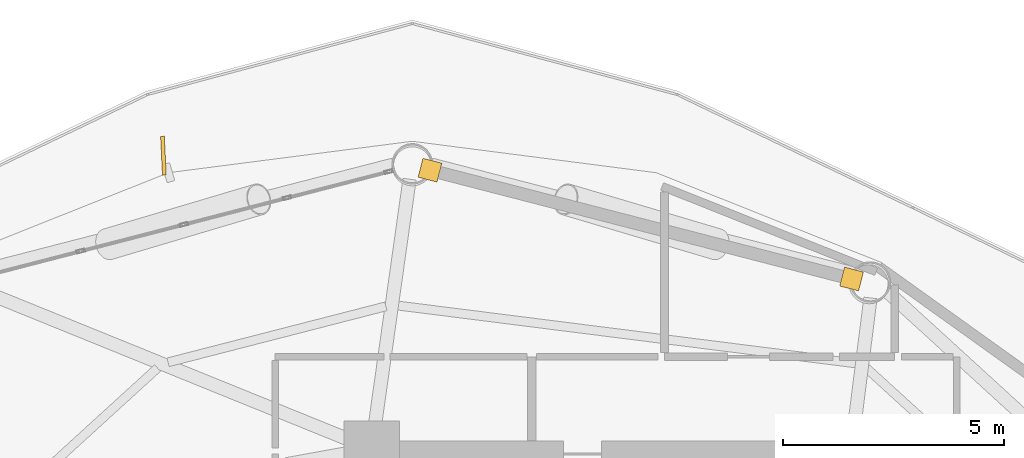
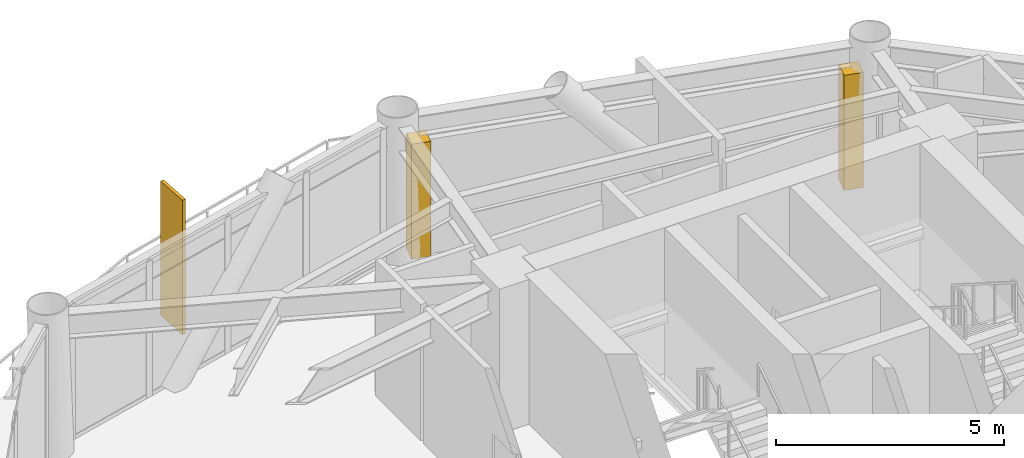
# One storey, part 24 of 24: 2 coverings, 1 shading device.
"""IFC4 building model written with IfcOpenShell, lengths in metres."""

from ifc_helpers import new_model, si_unit, direction, frame, origin, origin_2d, place, context, subcontext, project, spatial, rectangle, extrude, source, transform, mapped, material, layer, layer_set, type_object, type_shapes, element, save


model = new_model("IFC4")

# Units and contexts
model_context = context("Model", 3, precision=1e-05, world=origin(), true_north=direction((0.0, 1.0)))
body_context = subcontext(model_context, "Body", "Model", "MODEL_VIEW")
ifc_project = project(units=[si_unit("LENGTHUNIT", "METRE"), si_unit("AREAUNIT", "SQUARE_METRE"), si_unit("VOLUMEUNIT", "CUBIC_METRE"), si_unit("PLANEANGLEUNIT", "RADIAN"), si_unit("MASSUNIT", "GRAM", prefix="KILO")], contexts=[model_context])

# Site, building, storey
site_placement = place(None, origin())
site = spatial("IfcSite", under=ifc_project, at=site_placement, CompositionType="ELEMENT")
building_placement = place(site_placement, origin())
building = spatial("IfcBuilding", under=site, at=building_placement, Name="Varnakorn Sky Granary", CompositionType="ELEMENT")
storey_placement = place(building_placement, frame((0.0, 0.0, 43.199951171875)))
storey = spatial("IfcBuildingStorey", under=building, at=storey_placement, Name="L10", CompositionType="ELEMENT", Elevation=43.199951171875)

# Shading device
ifc_material = material(Name="Anodised Bronze Aluminium Alloy 6063-T6", Category="aluminium")
shading_device_type = type_object("IfcShadingDeviceType", Name="SH-FIN-01", PredefinedType="USERDEFINED", material=ifc_material)
shared_shape_1 = source(origin(), body_context, "Body", "SweptSolid", [
    extrude(rectangle(XDim=0.0849609375, YDim=0.8798828125, at=origin_2d()), origin(), (0.0, 0.0, 1.0), 3.60009765625),
])
type_shapes(shading_device_type, [shared_shape_1])
shading_device_placement = place(storey_placement, frame((-7.124267578125, 19.241943359375, -0.0400390625), z_axis=(0.0, 0.0, 1.0), x_axis=(-0.998795842558, -0.049059809304, 0.0)))
element("IfcShadingDevice", 1, at=shading_device_placement, inside=storey, type_object=shading_device_type, Name="Bronze Solar-Tracking Vertical Blade FIN L10-04", ObjectType="FIN", PredefinedType="USERDEFINED", context=body_context, shape_type="MappedRepresentation", body=[
    mapped(shared_shape_1, transform((0.0, 0.0, 0.0), x_axis=(1.0, 0.0, 0.0), y_axis=(0.0, 1.0, 0.0), z_axis=(0.0, 0.0, 1.0), scale=1.0)),
])

# Coverings
ifc_layer = layer(ifc_material, 0.050048828125, Name="Anodised Bronze Aluminium Alloy 6063-T6")
ifc_layer_set = layer_set([ifc_layer], Name="Anodised Bronze Aluminium Alloy 6063-T6")
covering_type = type_object("IfcCoveringType", Name="CV-CLAD-50", PredefinedType="CLADDING", material=ifc_layer_set)
shared_shape_2 = source(origin(), body_context, "Body", "SweptSolid", [
    extrude(rectangle(XDim=0.43994140625, YDim=0.43994140625, at=origin_2d()), origin(), (0.0, 0.0, 1.0), 3.080078125),
])
type_shapes(covering_type, [shared_shape_2])
for number, where, z_axis, x_axis, name in (
    (2, (-1.10107421875, 18.916015625, -0.02001953125), (0.0, 0.0, 1.0), (0.968278606324, -0.249873048837, 0.0), "Bronze Corner Pilaster Closure L10-P03-A"),
    (3, (8.424560546875, 16.45703125, -0.02001953125), (0.0, 0.0, 1.0), (0.968278606324, -0.249873048837, 0.0), "Bronze Corner Pilaster Closure L10-P03-B"),
):
    element("IfcCovering", number, at=place(storey_placement, frame(where, z_axis=z_axis, x_axis=x_axis)), inside=storey, type_object=covering_type, Name=name, PredefinedType="CLADDING", context=body_context, shape_type="MappedRepresentation", body=[
        mapped(shared_shape_2, transform((0.0, 0.0, 0.0), x_axis=(1.0, 0.0, 0.0), y_axis=(0.0, 1.0, 0.0), z_axis=(0.0, 0.0, 1.0), scale=1.0)),
    ])

save(model, "model.ifc")
